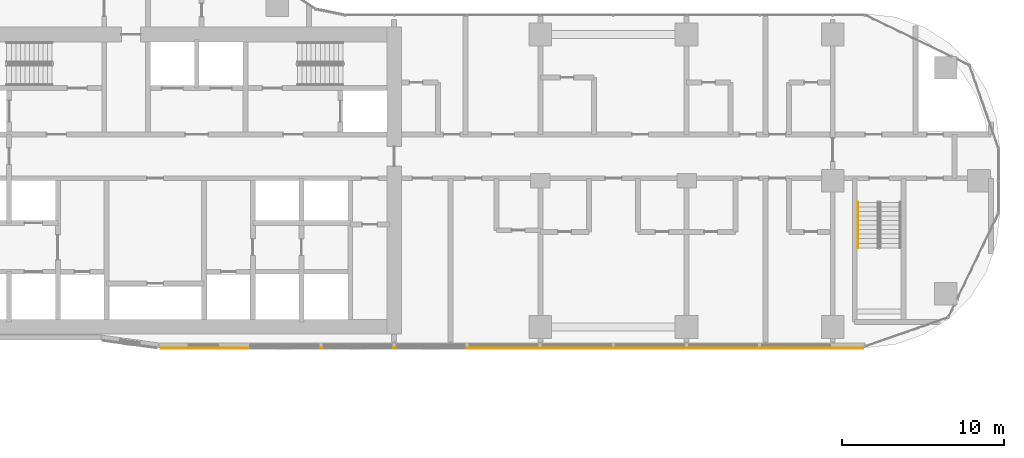
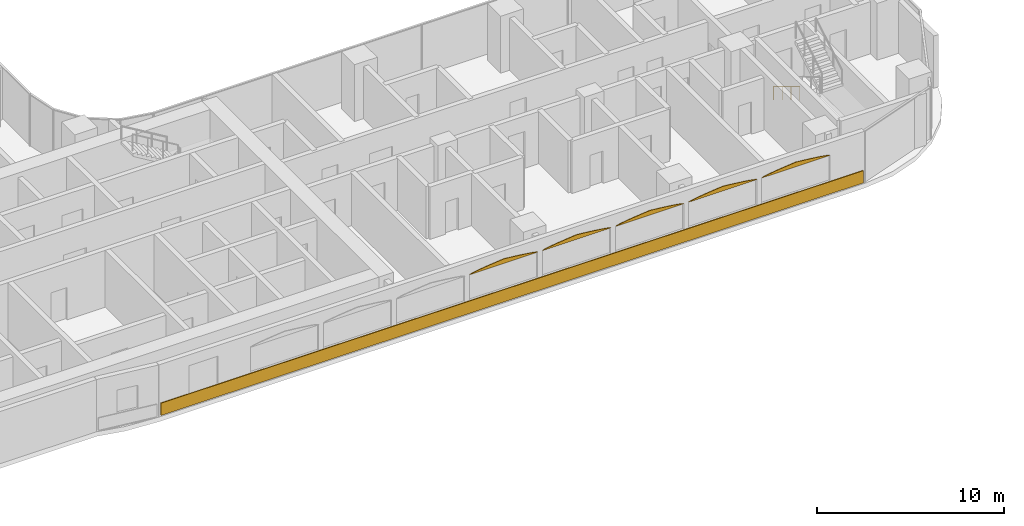
# One storey, part 32 of 36: 6 coverings, 1 railing.
"""IFC4 building model written with IfcOpenShell, lengths in metres."""

from ifc_helpers import new_model, si_unit, direction, frame, origin, origin_2d, place, context, subcontext, project, spatial, polyline, rectangle, circle, outline, extrude, material, layer, layer_set, type_object, element, save


model = new_model("IFC4")

# Units and contexts
model_context = context("Model", 3, precision=1e-05, world=origin(), true_north=direction((0.0, 1.0)))
body_context = subcontext(model_context, "Body", "Model", "MODEL_VIEW")
ifc_project = project(units=[si_unit("LENGTHUNIT", "METRE"), si_unit("AREAUNIT", "SQUARE_METRE"), si_unit("VOLUMEUNIT", "CUBIC_METRE"), si_unit("PLANEANGLEUNIT", "RADIAN"), si_unit("MASSUNIT", "GRAM", prefix="KILO")], contexts=[model_context])

# Site, building, storey
site_placement = place(None, origin())
site = spatial("IfcSite", under=ifc_project, at=site_placement, CompositionType="ELEMENT")
building_placement = place(site_placement, origin())
building = spatial("IfcBuilding", under=site, at=building_placement, Name="Ogive Portal Towers", CompositionType="ELEMENT")
storey_placement = place(building_placement, frame((0.0, 0.0, 48.300048828125)))
storey = spatial("IfcBuildingStorey", under=building, at=storey_placement, Name="L10", CompositionType="ELEMENT", Elevation=48.300048828125)

# Railing
ifc_material_1 = material(Name="Stainless steel handrail", Category="steel")
railing_type = type_object("IfcRailingType", Name="INT-HANDRAIL", PredefinedType="HANDRAIL", material=ifc_material_1)
railing_placement = place(storey_placement, frame((87.050048828125, 29.169921875, 0.168212890625)))
element("IfcRailing", 1, at=railing_placement, inside=storey, type_object=railing_type, Name="L10 ST-A4 stair handrail 1", PredefinedType="HANDRAIL", context=body_context, shape_type="SweptSolid", body=[
    extrude(circle(Radius=0.02392578125, at=origin_2d()), frame((0.0, 0.0, 0.8759765625), z_axis=(0.0, -0.857255387014, 0.514891446264), x_axis=(1.0, 0.0, 0.0)), (0.0, 0.0, 1.0), 3.26611328125),
    extrude(circle(Radius=0.02099609375, at=origin_2d()), origin(), (0.0, 0.0, 1.0), 0.851806640625),
    extrude(circle(Radius=0.02099609375, at=origin_2d()), frame((0.0, -0.933349609375, 0.560546875)), (0.0, 0.0, 1.0), 0.851806640625),
    extrude(circle(Radius=0.02099609375, at=origin_2d()), frame((0.0, -1.866455078125, 1.12109375)), (0.0, 0.0, 1.0), 0.851806640625),
    extrude(circle(Radius=0.02099609375, at=origin_2d()), frame((0.0, -2.7998046875, 1.681640625)), (0.0, 0.0, 1.0), 0.851806640625),
])

# Coverings
ifc_material_2 = material(Name="Limestone cladding on lightweight block wall", Category="masonry")
ifc_layer_1 = layer(ifc_material_2, 0.0400390625)
ifc_layer_set_1 = layer_set([ifc_layer_1], Name="LANCET HEAD STONE")
covering_type_1 = type_object("IfcCoveringType", Name="LANCET HEAD STONE", PredefinedType="CLADDING", material=ifc_layer_set_1)
for number, where, z_axis, x_axis, name in (
    (2, (63.14990234375, 20.215087890625, 2.599853515625), (0.0, 0.999943573838, 0.010623047596), (1.0, 0.0, 0.0), "Lancet head"),
    (3, (67.64990234375, 20.215087890625, 2.599853515625), (0.0, 0.999943573838, 0.010623047596), (1.0, 0.0, 0.0), "Lancet head"),
    (4, (72.14990234375, 20.215087890625, 2.599853515625), (0.0, 0.999943573838, 0.010623047596), (1.0, 0.0, 0.0), "Lancet head"),
    (5, (76.64990234375, 20.215087890625, 2.599853515625), (0.0, 0.999943573838, 0.010623047596), (1.0, 0.0, 0.0), "Lancet head"),
    (6, (81.14990234375, 20.215087890625, 2.599853515625), (0.0, 0.999943573838, 0.010623047596), (1.0, 0.0, 0.0), "Lancet head"),
):
    element("IfcCovering", number, at=place(storey_placement, frame(where, z_axis=z_axis, x_axis=x_axis)), inside=storey, type_object=covering_type_1, Name=name, PredefinedType="CLADDING", context=body_context, shape_type="SweptSolid", body=[
        extrude(outline(polyline([(0.0, 0.0), (4.2001953125, 0.0), (4.107177734375, -0.03760072179351402), (3.9375, -0.07519885006954846), (3.7177734375, -0.11255544501398096), (3.45751953125, -0.150156166807495), (3.162353515625, -0.1875101682344479), (2.836181640625, -0.22511089002796192), (2.481201171875, -0.2627090183039964), (2.10009765625, -0.3000656132484289), (1.718994140625, -0.2627090183039964), (1.364013671875, -0.22511089002796192), (1.037841796875, -0.1875101682344479), (0.74267578125, -0.150156166807495), (0.482421875, -0.11255544501398096), (0.2626953125, -0.07519885006954846), (0.093017578125, -0.03760072179351402), (0.0, 0.0)])), origin(), (0.0, 0.0, -1.0), 0.0400390625),
    ])
ifc_layer_2 = layer(ifc_material_2, 0.050048828125)
ifc_layer_set_2 = layer_set([ifc_layer_2], Name="SCREEN PERFORATED STONE")
covering_type_2 = type_object("IfcCoveringType", Name="SCREEN PERFORATED STONE", PredefinedType="CLADDING", material=ifc_layer_set_2)
covering_placement = place(storey_placement, frame((65.75341796875, 20.18994140625, 0.10009765625), z_axis=(0.0, 0.0, 1.0), x_axis=(1.0, 0.0, 0.0)))
element("IfcCovering", 7, at=covering_placement, inside=storey, type_object=covering_type_2, Name="Tracery screen", PredefinedType="CLADDING", context=body_context, shape_type="SweptSolid", body=[
    extrude(rectangle(XDim=43.265869140625, YDim=0.050048828125, at=origin_2d()), origin(), (0.0, 0.0, 1.0), 0.800048828125),
])

save(model, "model.ifc")
